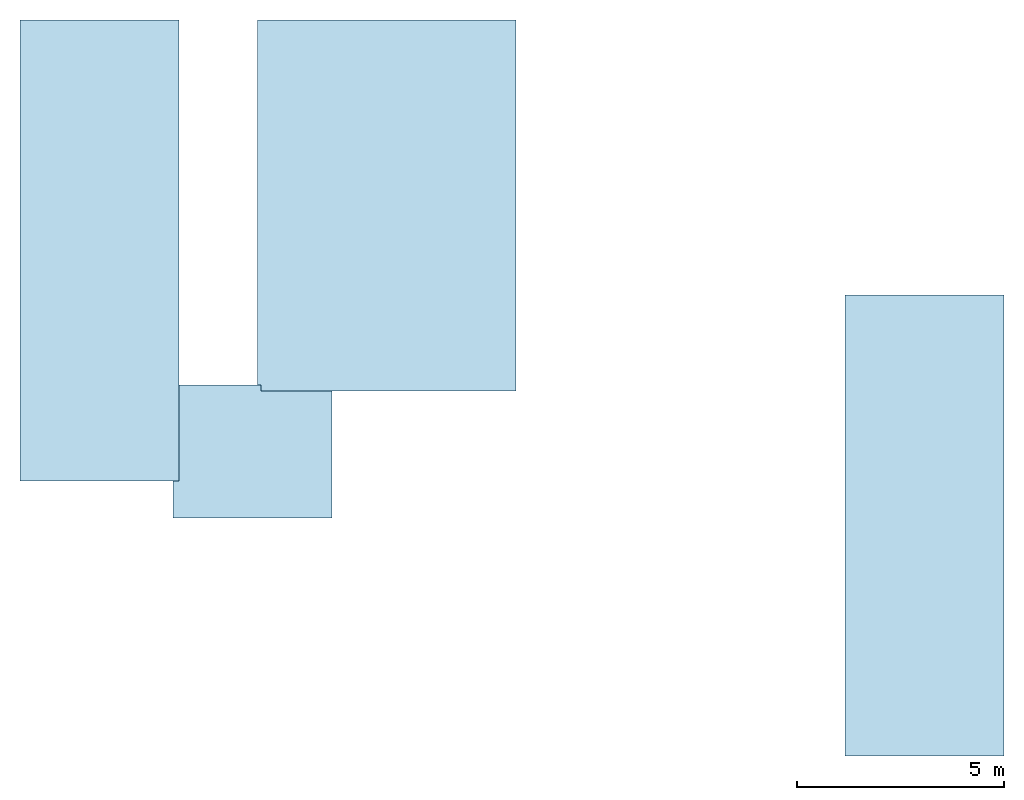
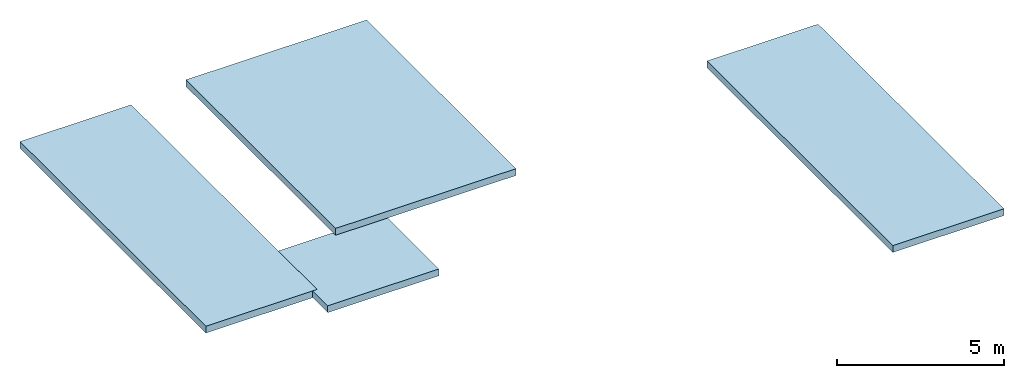
# One storey: 4 slabs.
"""IFC4 building model written with IfcOpenShell, lengths in metres."""

from ifc_helpers import new_model, si_unit, direction, frame, origin, place, context, subcontext, project, spatial, polyline, outline, extrude, material, layer, layer_set, type_object, element, save


model = new_model("IFC4")

# Units and contexts
model_context = context("Model", 3, precision=1e-05, world=origin(), true_north=direction((0.0, 1.0)))
body_context = subcontext(model_context, "Body", "Model", "MODEL_VIEW")
ifc_project = project(units=[si_unit("LENGTHUNIT", "METRE"), si_unit("AREAUNIT", "SQUARE_METRE"), si_unit("VOLUMEUNIT", "CUBIC_METRE"), si_unit("PLANEANGLEUNIT", "RADIAN"), si_unit("MASSUNIT", "GRAM", prefix="KILO")], contexts=[model_context])

# Site, building, storey
site_placement = place(None, origin())
site = spatial("IfcSite", under=ifc_project, at=site_placement, CompositionType="ELEMENT")
building_placement = place(site_placement, origin())
building = spatial("IfcBuilding", under=site, at=building_placement, Name="Highveld Stack Headquarters", CompositionType="ELEMENT")
storey_placement = place(building_placement, frame((0.0, 0.0, 308.699951171875)))
storey = spatial("IfcBuildingStorey", under=building, at=storey_placement, Name="ROOF", CompositionType="ELEMENT", Elevation=308.699951171875)

# Slabs
ifc_material = material(Name="Concrete C60/75", Category="concrete")
ifc_layer = layer(ifc_material, 0.25)
ifc_layer_set = layer_set([ifc_layer], Name="Concrete C60/75")
slab_type = type_object("IfcSlabType", Name="ROOF SLAB 250", PredefinedType="ROOF", material=ifc_layer_set)
slab_1_placement = place(storey_placement, frame((0.0, 0.0, -0.25)))
element("IfcSlab", 1, at=slab_1_placement, inside=storey, type_object=slab_type, Name="Roof link roof", PredefinedType="ROOF", context=body_context, shape_type="SweptSolid", body=[
    extrude(outline(polyline([(-2.199951171875, -0.14990234375), (1.64990234375, -0.14990234375), (1.64990234375, 2.925048828125), (-0.074951171875, 2.925048828125), (-0.074951171875, 3.074951171875), (-2.050048828125, 3.074951171875), (-2.050048828125, 0.75), (-2.199951171875, 0.75), (-2.199951171875, -0.14990234375)])), origin(), (0.0, 0.0, 1.0), 0.25),
])
slab_2_placement = place(storey_placement, origin())
element("IfcSlab", 2, at=slab_2_placement, inside=storey, type_object=slab_type, Name="Lift penthouse roof", PredefinedType="ROOF", context=body_context, shape_type="SweptSolid", body=[
    extrude(outline(polyline([(-0.14990234375, 2.925048828125), (6.10009765625, 2.925048828125), (6.10009765625, 11.89990234375), (-0.14990234375, 11.89990234375), (-0.14990234375, 2.925048828125)])), origin(), (0.0, 0.0, 1.0), 0.25),
])
slab_3_placement = place(storey_placement, frame((0.0, 0.0, -0.25)))
element("IfcSlab", 3, at=slab_3_placement, inside=storey, type_object=slab_type, Name="Stair S1 head-house roof", PredefinedType="ROOF", context=body_context, shape_type="SweptSolid", body=[
    extrude(outline(polyline([(-5.89990234375, 0.75), (-2.050048828125, 0.75), (-2.050048828125, 11.89990234375), (-5.89990234375, 11.89990234375), (-5.89990234375, 0.75)])), origin(), (0.0, 0.0, 1.0), 0.25),
])
slab_4_placement = place(storey_placement, frame((0.0, 0.0, -0.25)))
element("IfcSlab", 4, at=slab_4_placement, inside=storey, type_object=slab_type, Name="Stair S2 head-house roof", PredefinedType="ROOF", context=body_context, shape_type="SweptSolid", body=[
    extrude(outline(polyline([(14.050048828125, -5.89990234375), (17.89990234375, -5.89990234375), (17.89990234375, 5.25), (14.050048828125, 5.25), (14.050048828125, -5.89990234375)])), origin(), (0.0, 0.0, 1.0), 0.25),
])

save(model, "model.ifc")
